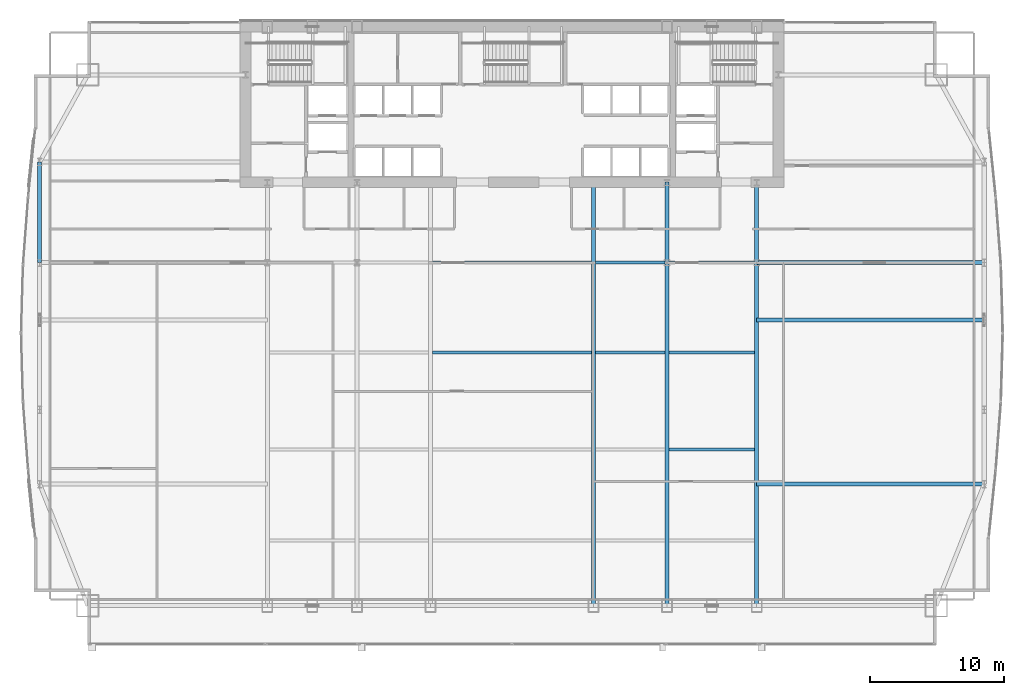
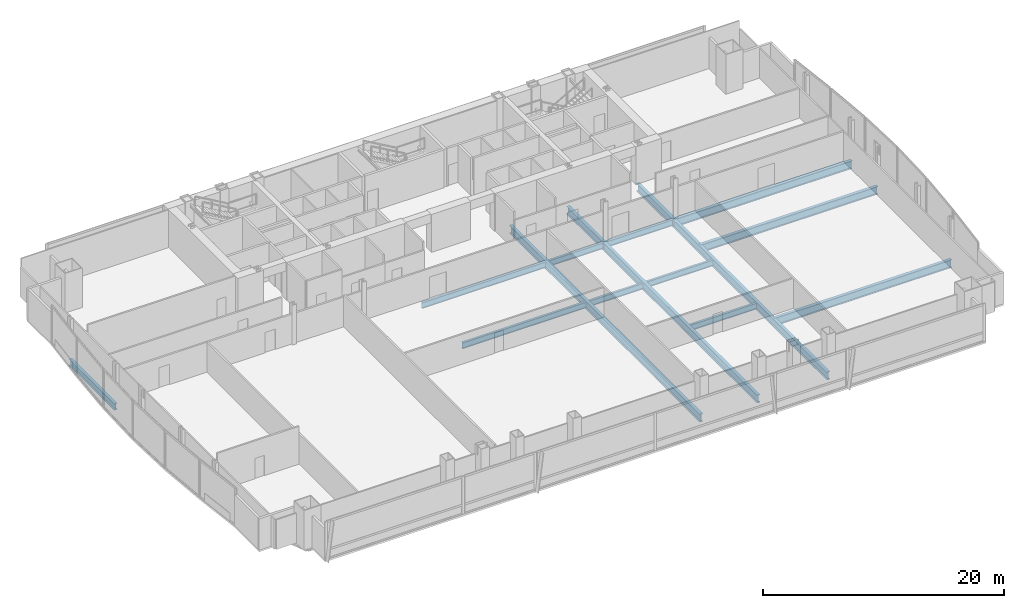
# One storey, part 15 of 33: 16 beams.
"""IFC4 building model written with IfcOpenShell, lengths in metres."""

from ifc_helpers import new_model, si_unit, direction, frame, origin, origin_2d, place, context, subcontext, project, spatial, i_section, extrude, material, material_profile, profile_set, type_object, element, save


model = new_model("IFC4")

# Units and contexts
model_context = context("Model", 3, precision=1e-05, world=origin(), true_north=direction((0.0, 1.0)))
body_context = subcontext(model_context, "Body", "Model", "MODEL_VIEW")
ifc_project = project(units=[si_unit("LENGTHUNIT", "METRE"), si_unit("AREAUNIT", "SQUARE_METRE"), si_unit("VOLUMEUNIT", "CUBIC_METRE"), si_unit("PLANEANGLEUNIT", "RADIAN"), si_unit("MASSUNIT", "GRAM", prefix="KILO")], contexts=[model_context])

# Site, building, storey
site_placement = place(None, origin())
site = spatial("IfcSite", under=ifc_project, at=site_placement, CompositionType="ELEMENT")
building_placement = place(site_placement, origin())
building = spatial("IfcBuilding", under=site, at=building_placement, Name="Khoronbel Lancet Exchange", CompositionType="ELEMENT")
storey_placement = place(building_placement, frame((0.0, 0.0, 33.800048828125)))
storey = spatial("IfcBuildingStorey", under=building, at=storey_placement, Name="L07", CompositionType="ELEMENT", Elevation=33.800048828125)

# Beams
ifc_material = material(Name="Steel S355", Category="steel")
ifc_material_profile_1 = material_profile(ifc_material, i_section(OverallWidth=0.300048828125, OverallDepth=0.800048828125, WebThickness=0.017578125, FlangeThickness=0.032958984375, at=origin_2d()), Name="HEB 800")
ifc_profile_set_1 = profile_set([ifc_material_profile_1], Name="Steel S355")
beam_type_1 = type_object("IfcBeamType", Name="BM-BG2", PredefinedType="BEAM", material=ifc_profile_set_1)
beam_1_placement = place(storey_placement, frame((42.52490234375, 10.14990234375, -0.580078125), z_axis=(0.0, 1.0, 0.0), x_axis=(-1.0, 0.0, 0.0)))
element("IfcBeam", 1, at=beam_1_placement, inside=storey, type_object=beam_type_1, Name="Level L07 primary floor girder G4", PredefinedType="BEAM", context=body_context, shape_type="SweptSolid", body=[
    extrude(i_section(OverallWidth=0.300048828125, OverallDepth=0.800048828125, WebThickness=0.017578125, FlangeThickness=0.032958984375, at=origin_2d()), origin(), (0.0, 0.0, 1.0), 31.550048828125),
])
beam_2_placement = place(storey_placement, frame((48.0, 10.14990234375, -0.580078125), z_axis=(0.0, 1.0, 0.0), x_axis=(-1.0, 0.0, 0.0)))
element("IfcBeam", 2, at=beam_2_placement, inside=storey, type_object=beam_type_1, Name="Level L07 south primary girder GS5", PredefinedType="BEAM", context=body_context, shape_type="SweptSolid", body=[
    extrude(i_section(OverallWidth=0.300048828125, OverallDepth=0.800048828125, WebThickness=0.017578125, FlangeThickness=0.032958984375, at=origin_2d()), origin(), (0.0, 0.0, 1.0), 25.550048828125),
])
beam_3_placement = place(storey_placement, frame((48.0, 35.699951171875, -0.580078125), z_axis=(0.0, 1.0, 0.0), x_axis=(-1.0, 0.0, 0.0)))
element("IfcBeam", 3, at=beam_3_placement, inside=storey, type_object=beam_type_1, Name="Level L07 spine tie girder GN5", PredefinedType="BEAM", context=body_context, shape_type="SweptSolid", body=[
    extrude(i_section(OverallWidth=0.300048828125, OverallDepth=0.800048828125, WebThickness=0.017578125, FlangeThickness=0.032958984375, at=origin_2d()), origin(), (0.0, 0.0, 1.0), 6.0),
])
beam_4_placement = place(storey_placement, frame((54.675048828125, 10.14990234375, -0.580078125), z_axis=(0.0, 1.0, 0.0), x_axis=(-1.0, 0.0, 0.0)))
element("IfcBeam", 4, at=beam_4_placement, inside=storey, type_object=beam_type_1, Name="Level L07 south primary girder GS6", PredefinedType="BEAM", context=body_context, shape_type="SweptSolid", body=[
    extrude(i_section(OverallWidth=0.300048828125, OverallDepth=0.800048828125, WebThickness=0.017578125, FlangeThickness=0.032958984375, at=origin_2d()), origin(), (0.0, 0.0, 1.0), 25.550048828125),
])
beam_5_placement = place(storey_placement, frame((54.675048828125, 35.699951171875, -0.580078125), z_axis=(0.0, 1.0, 0.0), x_axis=(-1.0, 0.0, 0.0)))
element("IfcBeam", 5, at=beam_5_placement, inside=storey, type_object=beam_type_1, Name="Level L07 spine tie girder GN6", PredefinedType="BEAM", context=body_context, shape_type="SweptSolid", body=[
    extrude(i_section(OverallWidth=0.300048828125, OverallDepth=0.800048828125, WebThickness=0.017578125, FlangeThickness=0.032958984375, at=origin_2d()), origin(), (0.0, 0.0, 1.0), 6.0),
])
for number, where, z_axis, x_axis, name in (
    (6, (54.675048828125, 19.199951171875, -0.580078125), (1.0, 0.0, 0.0), (0.0, 1.0, 0.0), "Level L07 east lens tie girder LG1E"),
    (7, (54.675048828125, 31.425048828125, -0.580078125), (1.0, 0.0, 0.0), (0.0, 1.0, 0.0), "Level L07 east lens tie girder LG2E"),
    (8, (54.675048828125, 35.699951171875, -0.580078125), (1.0, 0.0, 0.0), (0.0, 1.0, 0.0), "Level L07 east lens tie girder LG4E"),
):
    element("IfcBeam", number, at=place(storey_placement, frame(where, z_axis=z_axis, x_axis=x_axis)), inside=storey, type_object=beam_type_1, Name=name, PredefinedType="BEAM", context=body_context, shape_type="SweptSolid", body=[
        extrude(i_section(OverallWidth=0.300048828125, OverallDepth=0.800048828125, WebThickness=0.017578125, FlangeThickness=0.032958984375, at=origin_2d()), origin(), (0.0, 0.0, 1.0), 16.954833984375),
    ])
ifc_material_profile_2 = material_profile(ifc_material, i_section(OverallWidth=0.219970703125, OverallDepth=0.60009765625, WebThickness=0.011962890625, FlangeThickness=0.01904296875, at=origin_2d()), Name="IPE 600")
ifc_profile_set_2 = profile_set([ifc_material_profile_2], Name="Steel S355")
beam_type_2 = type_object("IfcBeamType", Name="BM-BJ1", PredefinedType="JOIST", material=ifc_profile_set_2)
beam_6_placement = place(storey_placement, frame((48.14990234375, 21.800048828125, -0.47998046875), z_axis=(1.0, 0.0, 0.0), x_axis=(0.0, 1.0, 0.0)))
element("IfcBeam", 9, at=beam_6_placement, inside=storey, type_object=beam_type_2, Name="Level L07 secondary composite joist J10", PredefinedType="JOIST", context=body_context, shape_type="SweptSolid", body=[
    extrude(i_section(OverallWidth=0.219970703125, OverallDepth=0.60009765625, WebThickness=0.011962890625, FlangeThickness=0.01904296875, at=origin_2d()), origin(), (0.0, 0.0, 1.0), 6.375),
])
beam_7_placement = place(storey_placement, frame((30.52490234375, 29.0, -0.47998046875), z_axis=(1.0, 0.0, 0.0), x_axis=(0.0, 1.0, 0.0)))
element("IfcBeam", 10, at=beam_7_placement, inside=storey, type_object=beam_type_2, Name="Level L07 secondary composite joist J13", PredefinedType="JOIST", context=body_context, shape_type="SweptSolid", body=[
    extrude(i_section(OverallWidth=0.219970703125, OverallDepth=0.60009765625, WebThickness=0.011962890625, FlangeThickness=0.01904296875, at=origin_2d()), origin(), (0.0, 0.0, 1.0), 11.85009765625),
])
beam_8_placement = place(storey_placement, frame((42.675048828125, 29.0, -0.47998046875), z_axis=(1.0, 0.0, 0.0), x_axis=(0.0, 1.0, 0.0)))
element("IfcBeam", 11, at=beam_8_placement, inside=storey, type_object=beam_type_2, Name="Level L07 secondary composite joist J14", PredefinedType="JOIST", context=body_context, shape_type="SweptSolid", body=[
    extrude(i_section(OverallWidth=0.219970703125, OverallDepth=0.60009765625, WebThickness=0.011962890625, FlangeThickness=0.01904296875, at=origin_2d()), origin(), (0.0, 0.0, 1.0), 5.175048828125),
])
beam_9_placement = place(storey_placement, frame((48.14990234375, 29.0, -0.47998046875), z_axis=(1.0, 0.0, 0.0), x_axis=(0.0, 1.0, 0.0)))
element("IfcBeam", 12, at=beam_9_placement, inside=storey, type_object=beam_type_2, Name="Level L07 secondary composite joist J15", PredefinedType="JOIST", context=body_context, shape_type="SweptSolid", body=[
    extrude(i_section(OverallWidth=0.219970703125, OverallDepth=0.60009765625, WebThickness=0.011962890625, FlangeThickness=0.01904296875, at=origin_2d()), origin(), (0.0, 0.0, 1.0), 6.375),
])
beam_10_placement = place(storey_placement, frame((30.52490234375, 35.699951171875, -0.47998046875), z_axis=(1.0, 0.0, 0.0), x_axis=(0.0, 1.0, 0.0)))
element("IfcBeam", 13, at=beam_10_placement, inside=storey, type_object=beam_type_2, Name="Level L07 secondary composite joist J18", PredefinedType="JOIST", context=body_context, shape_type="SweptSolid", body=[
    extrude(i_section(OverallWidth=0.219970703125, OverallDepth=0.60009765625, WebThickness=0.011962890625, FlangeThickness=0.01904296875, at=origin_2d()), origin(), (0.0, 0.0, 1.0), 11.85009765625),
])
beam_11_placement = place(storey_placement, frame((42.675048828125, 35.699951171875, -0.47998046875), z_axis=(1.0, 0.0, 0.0), x_axis=(0.0, 1.0, 0.0)))
element("IfcBeam", 14, at=beam_11_placement, inside=storey, type_object=beam_type_2, Name="Level L07 secondary composite joist J19", PredefinedType="JOIST", context=body_context, shape_type="SweptSolid", body=[
    extrude(i_section(OverallWidth=0.219970703125, OverallDepth=0.60009765625, WebThickness=0.011962890625, FlangeThickness=0.01904296875, at=origin_2d()), origin(), (0.0, 0.0, 1.0), 5.175048828125),
])
beam_12_placement = place(storey_placement, frame((48.14990234375, 35.699951171875, -0.47998046875), z_axis=(1.0, 0.0, 0.0), x_axis=(0.0, 1.0, 0.0)))
element("IfcBeam", 15, at=beam_12_placement, inside=storey, type_object=beam_type_2, Name="Level L07 secondary composite joist J20", PredefinedType="JOIST", context=body_context, shape_type="SweptSolid", body=[
    extrude(i_section(OverallWidth=0.219970703125, OverallDepth=0.60009765625, WebThickness=0.011962890625, FlangeThickness=0.01904296875, at=origin_2d()), origin(), (0.0, 0.0, 1.0), 6.375),
])
ifc_material_profile_3 = material_profile(ifc_material, i_section(OverallWidth=0.300048828125, OverallDepth=0.64990234375, WebThickness=0.01611328125, FlangeThickness=0.031005859375, at=origin_2d()), Name="HEB 650")
ifc_profile_set_3 = profile_set([ifc_material_profile_3], Name="Steel S355")
beam_type_3 = type_object("IfcBeamType", Name="BM-BSP1", PredefinedType="SPANDREL", material=ifc_profile_set_3)
beam_13_placement = place(storey_placement, frame((1.27001953125, 43.199951171875, -0.505126953125), z_axis=(0.0, -1.0, 0.0), x_axis=(1.0, 0.0, 0.0)))
element("IfcBeam", 16, at=beam_13_placement, inside=storey, type_object=beam_type_3, Name="Level L07 perimeter spandrel beam SP17", PredefinedType="SPANDREL", context=body_context, shape_type="SweptSolid", body=[
    extrude(i_section(OverallWidth=0.300048828125, OverallDepth=0.64990234375, WebThickness=0.01611328125, FlangeThickness=0.031005859375, at=origin_2d()), origin(), (0.0, 0.0, 1.0), 7.5),
])

save(model, "model.ifc")
